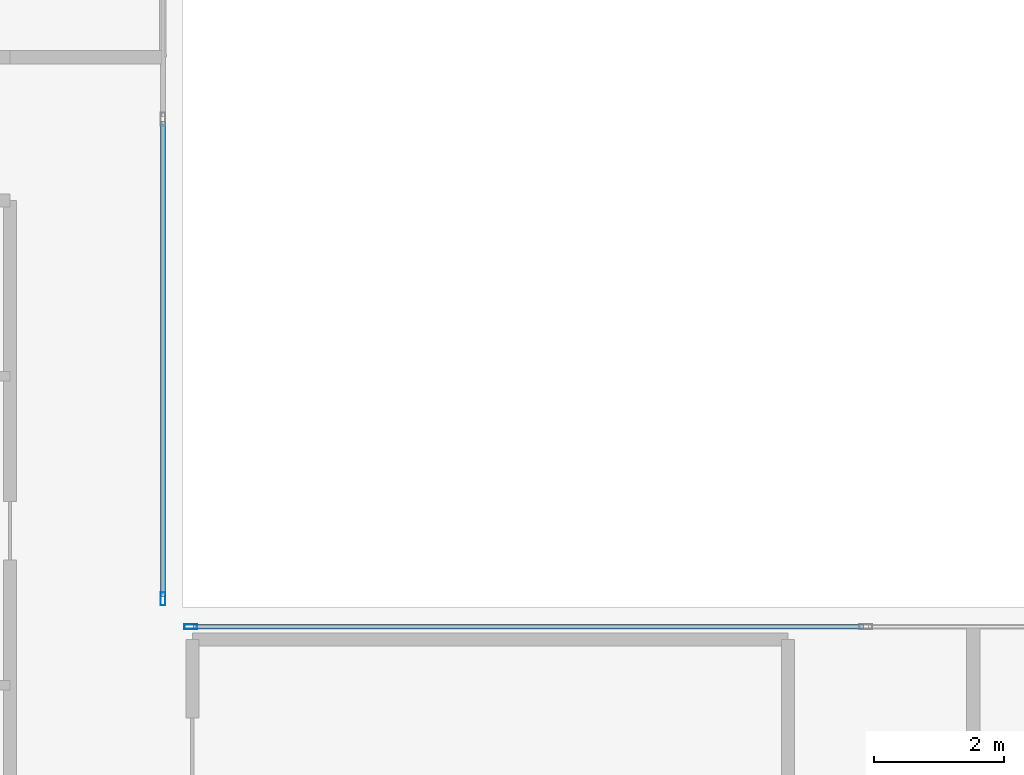
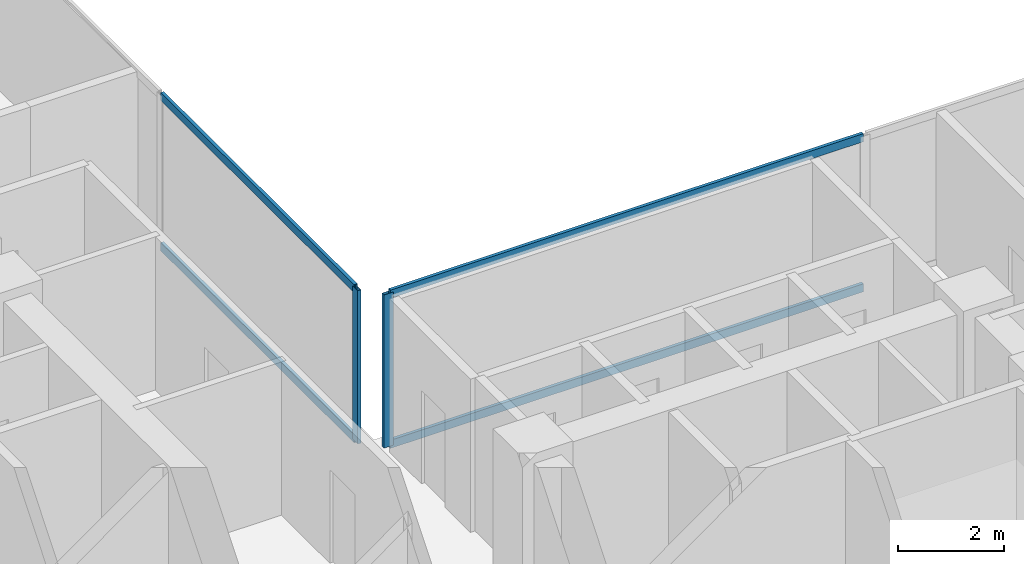
# One storey, part 8 of 24: 6 members, 2 elements without a shape of their own.
"""IFC4 building model written with IfcOpenShell, lengths in metres."""

from ifc_helpers import new_model, si_unit, direction, frame, origin, origin_2d, place, context, subcontext, project, spatial, hollow_rectangle, extrude, material, layer, layer_set, material_profile, profile_set, type_object, element, aggregate, save


model = new_model("IFC4")

# Units and contexts
model_context = context("Model", 3, precision=1e-05, world=origin(), true_north=direction((0.0, 1.0)))
body_context = subcontext(model_context, "Body", "Model", "MODEL_VIEW")
ifc_project = project(units=[si_unit("LENGTHUNIT", "METRE"), si_unit("AREAUNIT", "SQUARE_METRE"), si_unit("VOLUMEUNIT", "CUBIC_METRE"), si_unit("PLANEANGLEUNIT", "RADIAN"), si_unit("MASSUNIT", "GRAM", prefix="KILO"), si_unit("THERMODYNAMICTEMPERATUREUNIT", "KELVIN"), si_unit("POWERUNIT", "WATT")], contexts=[model_context])

# Site, building, storey
site_placement = place(None, origin())
site = spatial("IfcSite", under=ifc_project, at=site_placement, CompositionType="ELEMENT")
building_placement = place(site_placement, origin())
building = spatial("IfcBuilding", under=site, at=building_placement, Name="Svarakhadi Broadcast Tower", CompositionType="ELEMENT")
storey_placement = place(building_placement, frame((0.0, 0.0, 145.64990234375)))
storey = spatial("IfcBuildingStorey", under=building, at=storey_placement, Name="L35", CompositionType="ELEMENT", Elevation=145.64990234375)

# Curtain wall, member
ifc_material = material(Name="Anodised Bronze Aluminium AA 6063-T6", Category="aluminium")
ifc_layer = layer(ifc_material, 0.199951171875)
ifc_layer_set = layer_set([ifc_layer], Name="Anodised Bronze Aluminium AA 6063-T6")
curtain_wall_type = type_object("IfcCurtainWallType", Name="CW_Sys_03", PredefinedType="NOTDEFINED", material=ifc_layer_set)
curtain_wall_1_placement = place(storey_placement, origin())
curtain_wall_1 = element("IfcCurtainWall", 1, at=curtain_wall_1_placement, inside=storey, type_object=curtain_wall_type, Name="L35 Unitised Facade Curtain Wall 09", PredefinedType="NOTDEFINED")
ifc_material_profile_1 = material_profile(ifc_material, hollow_rectangle(XDim=0.074951171875, YDim=0.199951171875, WallThickness=0.005615234375, at=origin_2d()), Name="ALU MULLION 200x75x6")
ifc_profile_set_1 = profile_set([ifc_material_profile_1], Name="Anodised Bronze Aluminium AA 6063-T6")
member_type_1 = type_object("IfcMemberType", Name="CW_Sys_03_Mul", PredefinedType="MULLION", material=ifc_profile_set_1)
member_1_placement = place(storey_placement, frame((23.699951171875, 24.12744140625, 0.0), z_axis=(0.0, 0.0, 1.0), x_axis=(1.0, 0.0, 0.0)))
member_1 = element("IfcMember", 2, at=member_1_placement, type_object=member_type_1, Name="CW-03 mullion 3", PredefinedType="MULLION", context=body_context, shape_type="SweptSolid", body=[
    extrude(hollow_rectangle(XDim=0.074951171875, YDim=0.199951171875, WallThickness=0.005615234375, at=origin_2d()), origin(), (0.0, 0.0, 1.0), 3.525146484375),
])

curtain_wall_2_placement = place(storey_placement, origin())
curtain_wall_2 = element("IfcCurtainWall", 3, at=curtain_wall_2_placement, inside=storey, type_object=curtain_wall_type, Name="L35 Unitised Facade Curtain Wall 10", PredefinedType="NOTDEFINED")
member_2_placement = place(storey_placement, frame((24.12744140625, 23.699951171875, 0.0), z_axis=(0.0, 0.0, 1.0), x_axis=(0.0, 1.0, 0.0)))
member_2 = element("IfcMember", 4, at=member_2_placement, type_object=member_type_1, Name="CW-03 mullion 1", PredefinedType="MULLION", context=body_context, shape_type="SweptSolid", body=[
    extrude(hollow_rectangle(XDim=0.074951171875, YDim=0.199951171875, WallThickness=0.005615234375, at=origin_2d()), origin(), (0.0, 0.0, 1.0), 3.525146484375),
])

# Member
ifc_material_profile_2 = material_profile(ifc_material, hollow_rectangle(XDim=0.070068359375, YDim=0.18505859375, WallThickness=0.0048828125, at=origin_2d()), Name="ALU TRANSOM 185x70x5")
ifc_profile_set_2 = profile_set([ifc_material_profile_2], Name="Anodised Bronze Aluminium AA 6063-T6")
member_type_2 = type_object("IfcMemberType", Name="CW_Sys_03_Trn", PredefinedType="USERDEFINED", material=ifc_profile_set_2)
member_3_placement = place(storey_placement, frame((23.699951171875, 31.46240234375, 0.03515625), z_axis=(0.0, -1.0, 0.0), x_axis=(1.0, 0.0, 0.0)))
member_3 = element("IfcMember", 5, at=member_3_placement, type_object=member_type_2, Name="CW-03 transom 2.1", ObjectType="TRANSOM", PredefinedType="USERDEFINED", context=body_context, shape_type="SweptSolid", body=[
    extrude(hollow_rectangle(XDim=0.070068359375, YDim=0.18505859375, WallThickness=0.0048828125, at=origin_2d()), origin(), (0.0, 0.0, 1.0), 7.29736328125),
])

member_4_placement = place(storey_placement, frame((23.699951171875, 31.46240234375, 3.489990234375), z_axis=(0.0, -1.0, 0.0), x_axis=(1.0, 0.0, 0.0)))
member_4 = element("IfcMember", 6, at=member_4_placement, type_object=member_type_2, Name="CW-03 transom 2.2", ObjectType="TRANSOM", PredefinedType="USERDEFINED", context=body_context, shape_type="SweptSolid", body=[
    extrude(hollow_rectangle(XDim=0.070068359375, YDim=0.18505859375, WallThickness=0.0048828125, at=origin_2d()), origin(), (0.0, 0.0, 1.0), 7.29736328125),
])

aggregate(curtain_wall_1, [member_1, member_3, member_4])

member_5_placement = place(storey_placement, frame((24.1650390625, 23.699951171875, 0.03515625), z_axis=(1.0, 0.0, 0.0), x_axis=(0.0, 1.0, 0.0)))
member_5 = element("IfcMember", 7, at=member_5_placement, type_object=member_type_2, Name="CW-03 transom 1.1", ObjectType="TRANSOM", PredefinedType="USERDEFINED", context=body_context, shape_type="SweptSolid", body=[
    extrude(hollow_rectangle(XDim=0.070068359375, YDim=0.18505859375, WallThickness=0.0048828125, at=origin_2d()), origin(), (0.0, 0.0, 1.0), 10.29736328125),
])

member_6_placement = place(storey_placement, frame((24.1650390625, 23.699951171875, 3.489990234375), z_axis=(1.0, 0.0, 0.0), x_axis=(0.0, 1.0, 0.0)))
member_6 = element("IfcMember", 8, at=member_6_placement, type_object=member_type_2, Name="CW-03 transom 1.2", ObjectType="TRANSOM", PredefinedType="USERDEFINED", context=body_context, shape_type="SweptSolid", body=[
    extrude(hollow_rectangle(XDim=0.070068359375, YDim=0.18505859375, WallThickness=0.0048828125, at=origin_2d()), origin(), (0.0, 0.0, 1.0), 10.29736328125),
])

aggregate(curtain_wall_2, [member_2, member_5, member_6])

save(model, "model.ifc")
